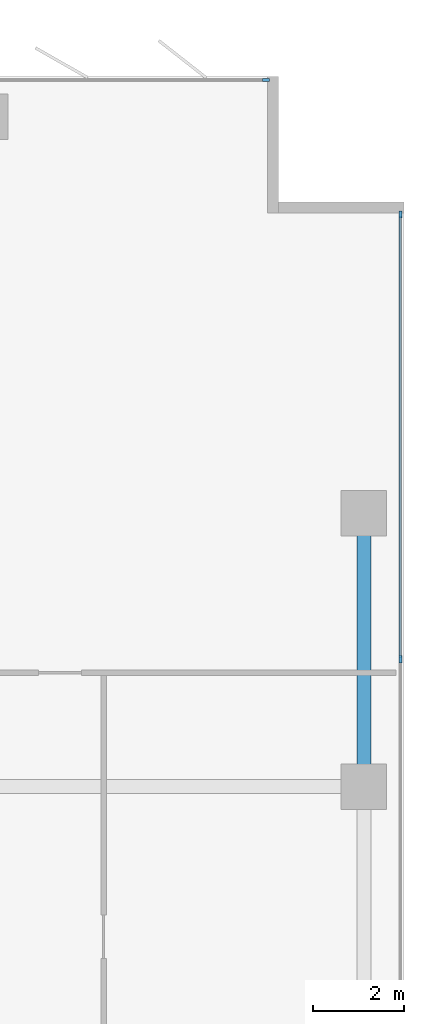
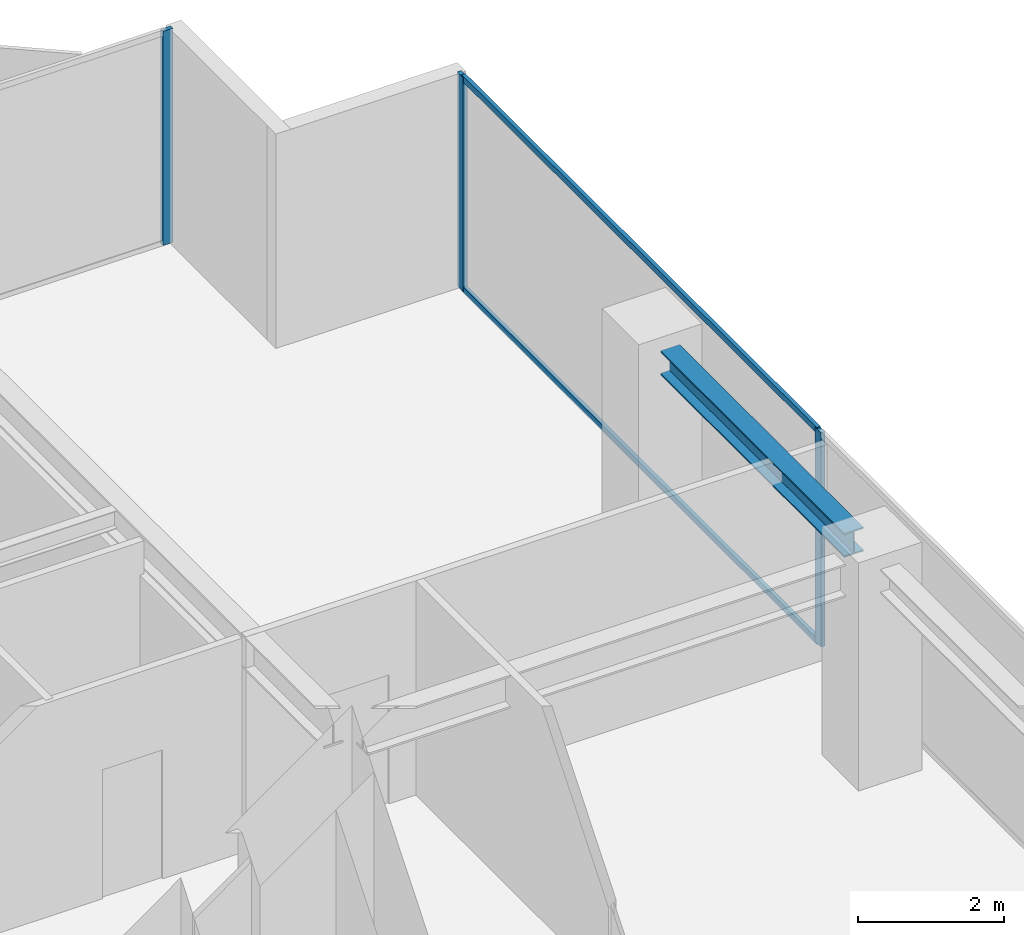
# One storey, part 13 of 22: 5 members, 1 beam, 2 elements without a shape of their own.
"""IFC4 building model written with IfcOpenShell, lengths in metres."""

from ifc_helpers import new_model, si_unit, direction, frame, origin, origin_2d, place, context, subcontext, project, spatial, rectangle, i_section, extrude, material, layer, layer_set, material_profile, profile_set, type_object, element, aggregate, save


model = new_model("IFC4")

# Units and contexts
model_context = context("Model", 3, precision=1e-05, world=origin(), true_north=direction((0.0, 1.0)))
body_context = subcontext(model_context, "Body", "Model", "MODEL_VIEW")
ifc_project = project(units=[si_unit("LENGTHUNIT", "METRE"), si_unit("AREAUNIT", "SQUARE_METRE"), si_unit("VOLUMEUNIT", "CUBIC_METRE"), si_unit("PLANEANGLEUNIT", "RADIAN"), si_unit("MASSUNIT", "GRAM", prefix="KILO")], contexts=[model_context])

# Site, building, storey
site_placement = place(None, origin())
site = spatial("IfcSite", under=ifc_project, at=site_placement, CompositionType="ELEMENT")
building_placement = place(site_placement, origin())
building = spatial("IfcBuilding", under=site, at=building_placement, Name="Putna Gate Headquarters", CompositionType="ELEMENT")
storey_placement = place(building_placement, frame((0.0, 0.0, 170.800048828125)))
storey = spatial("IfcBuildingStorey", under=building, at=storey_placement, Name="L42", CompositionType="ELEMENT", Elevation=170.800048828125)

# Beam
ifc_material_1 = material(Name="Steel S355J2", Category="steel")
ifc_material_profile_1 = material_profile(ifc_material_1, i_section(OverallWidth=0.300048828125, OverallDepth=0.39990234375, WebThickness=0.013427734375, FlangeThickness=0.02392578125, at=origin_2d()), Name="Steel S355J2")
ifc_profile_set_1 = profile_set([ifc_material_profile_1], Name="Steel S355J2")
beam_type = type_object("IfcBeamType", Name="BM-SPAN-Z3-HEB400", PredefinedType="SPANDREL", material=ifc_profile_set_1)
beam_placement = place(storey_placement, frame((73.320068359375, 33.488037109375, 3.3720703125), z_axis=(0.0, 1.0, 0.0), x_axis=(-1.0, 0.0, 0.0)))
element("IfcBeam", 1, at=beam_placement, inside=storey, type_object=beam_type, Name="L42 E End Spandrel 3", PredefinedType="SPANDREL", context=body_context, shape_type="SweptSolid", body=[
    extrude(i_section(OverallWidth=0.300048828125, OverallDepth=0.39990234375, WebThickness=0.013427734375, FlangeThickness=0.02392578125, at=origin_2d()), origin(), (0.0, 0.0, 1.0), 5.02392578125),
])

# Curtain wall, member
ifc_material_2 = material(Name="Anodised bronze aluminium curtain wall", Category="aluminium")
ifc_layer = layer(ifc_material_2, 0.159912109375)
ifc_layer_set = layer_set([ifc_layer], Name="Anodised bronze aluminium curtain wall")
curtain_wall_type = type_object("IfcCurtainWallType", Name="CW-SYS-Z3", PredefinedType="USERDEFINED", material=ifc_layer_set)
curtain_wall_1_placement = place(storey_placement, origin())
curtain_wall_1 = element("IfcCurtainWall", 2, at=curtain_wall_1_placement, inside=storey, type_object=curtain_wall_type, Name="L42 North East Curtain Wall", ObjectType="STICK CURTAIN WALL", PredefinedType="USERDEFINED")
ifc_material_3 = material(Name="Anodised bronze aluminium EN AW-6060", Category="aluminium")
ifc_material_profile_2 = material_profile(ifc_material_3, rectangle(XDim=0.06494140625, YDim=0.159912109375, at=origin_2d()), Name="Anodised bronze aluminium EN AW-6060")
ifc_profile_set_2 = profile_set([ifc_material_profile_2], Name="Anodised bronze aluminium EN AW-6060")
member_type_1 = type_object("IfcMemberType", Name="MULL-CWM-3", PredefinedType="MULLION", material=ifc_profile_set_2)
member_1_placement = place(storey_placement, frame((71.16748046875, 48.52001953125, 0.0), z_axis=(0.0, 0.0, 1.0), x_axis=(0.0, 1.0, 0.0)))
member_1 = element("IfcMember", 3, at=member_1_placement, type_object=member_type_1, Name="CWS-3 mullion 3", PredefinedType="MULLION", context=body_context, shape_type="SweptSolid", body=[
    extrude(rectangle(XDim=0.06494140625, YDim=0.159912109375, at=origin_2d()), origin(), (0.0, 0.0, 1.0), 3.572021484375),
])
aggregate(curtain_wall_1, [member_1])

# Curtain wall, members
curtain_wall_2_placement = place(storey_placement, origin())
curtain_wall_2 = element("IfcCurtainWall", 4, at=curtain_wall_2_placement, inside=storey, type_object=curtain_wall_type, Name="L42 East Curtain Wall", ObjectType="STICK CURTAIN WALL", PredefinedType="USERDEFINED")
member_2_placement = place(storey_placement, frame((74.1201171875, 35.800048828125, 0.0), z_axis=(0.0, 0.0, 1.0), x_axis=(-1.0, 0.0, 0.0)))
member_2 = element("IfcMember", 5, at=member_2_placement, type_object=member_type_1, Name="CWS-3 mullion 4", PredefinedType="MULLION", context=body_context, shape_type="SweptSolid", body=[
    extrude(rectangle(XDim=0.06494140625, YDim=0.159912109375, at=origin_2d()), origin(), (0.0, 0.0, 1.0), 3.572021484375),
])
member_3_placement = place(storey_placement, frame((74.1201171875, 45.5673828125, 0.0), z_axis=(0.0, 0.0, 1.0), x_axis=(-1.0, 0.0, 0.0)))
member_3 = element("IfcMember", 6, at=member_3_placement, type_object=member_type_1, Name="CWS-3 mullion 5", PredefinedType="MULLION", context=body_context, shape_type="SweptSolid", body=[
    extrude(rectangle(XDim=0.06494140625, YDim=0.159912109375, at=origin_2d()), origin(), (0.0, 0.0, 1.0), 3.572021484375),
])
ifc_material_profile_3 = material_profile(ifc_material_3, rectangle(XDim=0.06005859375, YDim=0.10009765625, at=origin_2d()), Name="Anodised bronze aluminium EN AW-6060")
ifc_profile_set_3 = profile_set([ifc_material_profile_3], Name="Anodised bronze aluminium EN AW-6060")
member_type_2 = type_object("IfcMemberType", Name="TRAN-CWT-3", PredefinedType="USERDEFINED", material=ifc_profile_set_3)
member_4_placement = place(storey_placement, frame((74.1201171875, 35.83251953125, 0.030029296875), z_axis=(0.0, 1.0, 0.0), x_axis=(-1.0, 0.0, 0.0)))
member_4 = element("IfcMember", 7, at=member_4_placement, type_object=member_type_2, Name="CWS-3 transom 4.1", ObjectType="TRANSOM", PredefinedType="USERDEFINED", context=body_context, shape_type="SweptSolid", body=[
    extrude(rectangle(XDim=0.06005859375, YDim=0.10009765625, at=origin_2d()), origin(), (0.0, 0.0, 1.0), 9.702392578125),
])
member_5_placement = place(storey_placement, frame((74.1201171875, 35.83251953125, 3.5419921875), z_axis=(0.0, 1.0, 0.0), x_axis=(-1.0, 0.0, 0.0)))
member_5 = element("IfcMember", 8, at=member_5_placement, type_object=member_type_2, Name="CWS-3 transom 4.2", ObjectType="TRANSOM", PredefinedType="USERDEFINED", context=body_context, shape_type="SweptSolid", body=[
    extrude(rectangle(XDim=0.06005859375, YDim=0.10009765625, at=origin_2d()), origin(), (0.0, 0.0, 1.0), 9.702392578125),
])
aggregate(curtain_wall_2, [member_2, member_3, member_4, member_5])

save(model, "model.ifc")
